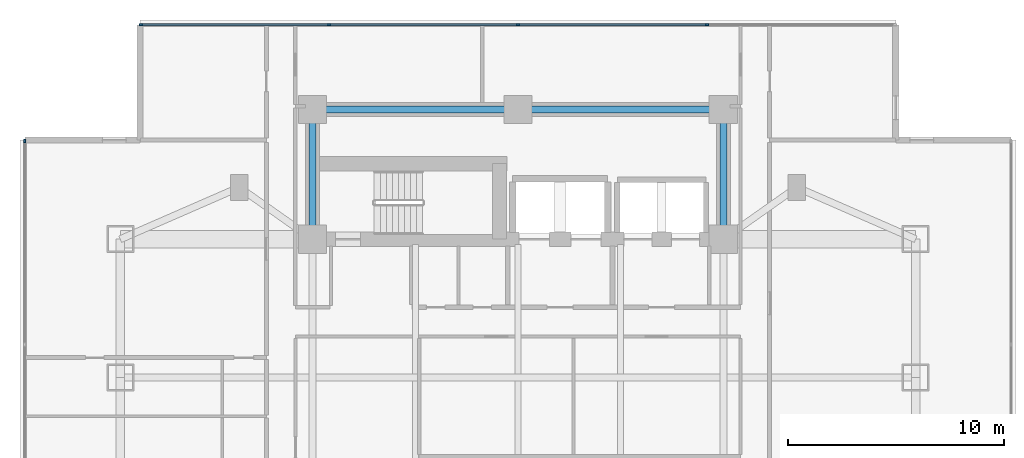
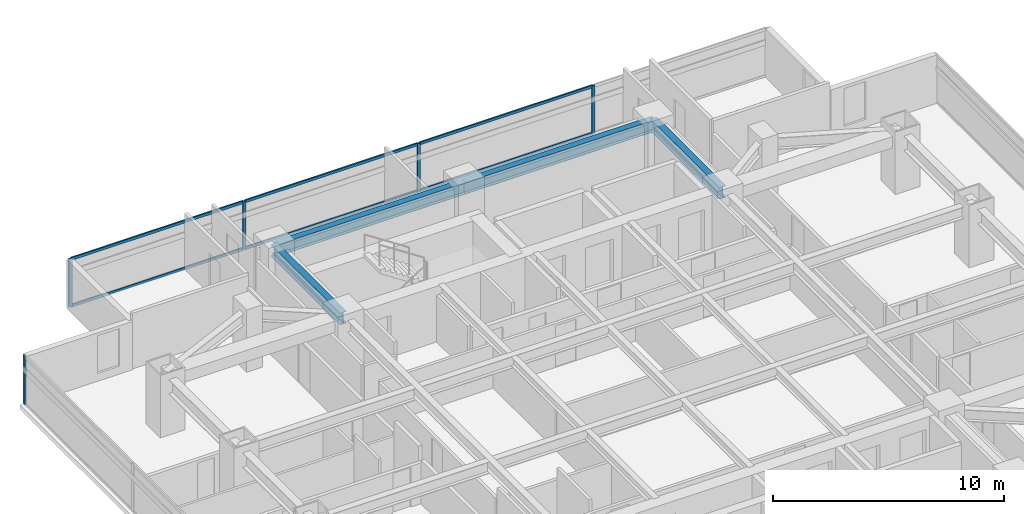
# One storey, part 7 of 26: 11 members, 4 beams, 2 elements without a shape of their own.
"""IFC4 building model written with IfcOpenShell, lengths in metres."""

from ifc_helpers import new_model, si_unit, direction, frame, origin, origin_2d, place, context, subcontext, project, spatial, rectangle, i_section, extrude, material, material_profile, profile_set, type_object, element, aggregate, save


model = new_model("IFC4")

# Units and contexts
model_context = context("Model", 3, precision=1e-05, world=origin(), true_north=direction((0.0, 1.0)))
body_context = subcontext(model_context, "Body", "Model", "MODEL_VIEW")
ifc_project = project(units=[si_unit("LENGTHUNIT", "METRE"), si_unit("AREAUNIT", "SQUARE_METRE"), si_unit("VOLUMEUNIT", "CUBIC_METRE"), si_unit("PLANEANGLEUNIT", "RADIAN"), si_unit("MASSUNIT", "GRAM", prefix="KILO")], contexts=[model_context])

# Site, building, storey
site_placement = place(None, origin())
site = spatial("IfcSite", under=ifc_project, at=site_placement, CompositionType="ELEMENT")
building_placement = place(site_placement, origin())
building = spatial("IfcBuilding", under=site, at=building_placement, Name="Mirazonda Arch Towers", CompositionType="ELEMENT")
storey_placement = place(building_placement, frame((0.0, 0.0, 78.5)))
storey = spatial("IfcBuildingStorey", under=building, at=storey_placement, Name="L22", CompositionType="ELEMENT", Elevation=78.5)

# Beams
ifc_material_1 = material(Name="Steel ASTM A992 Grade 50", Category="steel")
ifc_material_profile_1 = material_profile(ifc_material_1, i_section(OverallWidth=0.324951171875, OverallDepth=0.615966796875, WebThickness=0.013916015625, FlangeThickness=0.021484375, at=origin_2d()), Name="W24X117")
ifc_profile_set_1 = profile_set([ifc_material_profile_1], Name="Steel ASTM A992 Grade 50")
beam_type = type_object("IfcBeamType", Name="BM-INT-W24X117", PredefinedType="BEAM", material=ifc_profile_set_1)
for number, where, z_axis, x_axis, name in (
    (1, (11.0, 43.60009765625, 2.632080078125), (1.0, 0.0, 0.0), (0.0, 1.0, 0.0), "L22 Floor Beam BMT-T1-L22-CN1"),
    (2, (20.5, 43.60009765625, 2.632080078125), (1.0, 0.0, 0.0), (0.0, 1.0, 0.0), "L22 Floor Beam BMT-T1-L22-CN2"),
):
    element("IfcBeam", number, at=place(storey_placement, frame(where, z_axis=z_axis, x_axis=x_axis)), inside=storey, type_object=beam_type, Name=name, PredefinedType="BEAM", context=body_context, shape_type="SweptSolid", body=[
        extrude(i_section(OverallWidth=0.324951171875, OverallDepth=0.615966796875, WebThickness=0.013916015625, FlangeThickness=0.021484375, at=origin_2d()), origin(), (0.0, 0.0, 1.0), 9.5),
    ])
for number, where, z_axis, x_axis, name in (
    (3, (11.0, 37.60009765625, 2.632080078125), (0.0, 1.0, 0.0), (-1.0, 0.0, 0.0), "L22 Floor Beam BMT-T1-L22-CNW"),
    (4, (30.0, 37.60009765625, 2.632080078125), (0.0, 1.0, 0.0), (-1.0, 0.0, 0.0), "L22 Floor Beam BMT-T1-L22-CNE"),
):
    element("IfcBeam", number, at=place(storey_placement, frame(where, z_axis=z_axis, x_axis=x_axis)), inside=storey, type_object=beam_type, Name=name, PredefinedType="BEAM", context=body_context, shape_type="SweptSolid", body=[
        extrude(i_section(OverallWidth=0.324951171875, OverallDepth=0.615966796875, WebThickness=0.013916015625, FlangeThickness=0.021484375, at=origin_2d()), origin(), (0.0, 0.0, 1.0), 6.0),
    ])

# Curtain wall, members
ifc_material_2 = material(Name="Anodised Aluminium and Low-E Glass", Category="aluminium")
curtain_wall_type = type_object("IfcCurtainWallType", Name="CW-HTL-UNIT", PredefinedType="NOTDEFINED", material=ifc_material_2)
curtain_wall_1_placement = place(storey_placement, origin())
curtain_wall_1 = element("IfcCurtainWall", 5, at=curtain_wall_1_placement, inside=storey, type_object=curtain_wall_type, Name="L22 T1 N Facade CW-L22-T1-N", PredefinedType="NOTDEFINED")
ifc_material_3 = material(Name="Anodised Aluminium Alloy", Category="aluminium")
ifc_material_profile_2 = material_profile(ifc_material_3, rectangle(XDim=0.074951171875, YDim=0.1650390625, at=origin_2d()), Name="ALU-MULL-75x165")
ifc_profile_set_2 = profile_set([ifc_material_profile_2], Name="Anodised Aluminium Alloy")
member_type_1 = type_object("IfcMemberType", Name="MULL-CW-HTL-UNIT", PredefinedType="MULLION", material=ifc_profile_set_2)
member_1_placement = place(storey_placement, frame((3.0576171875, 47.52392578125, 0.0), z_axis=(0.0, 0.0, 1.0), x_axis=(0.0, 1.0, 0.0)))
member_1 = element("IfcMember", 6, at=member_1_placement, type_object=member_type_1, Name="CW-112 mullion 1", PredefinedType="MULLION", context=body_context, shape_type="SweptSolid", body=[
    extrude(rectangle(XDim=0.074951171875, YDim=0.1650390625, at=origin_2d()), origin(), (0.0, 0.0, 1.0), 2.56005859375),
])
member_2_placement = place(storey_placement, frame((11.760009765625, 47.52392578125, 0.0), z_axis=(0.0, 0.0, 1.0), x_axis=(0.0, 1.0, 0.0)))
member_2 = element("IfcMember", 7, at=member_2_placement, type_object=member_type_1, Name="CW-112 mullion 2", PredefinedType="MULLION", context=body_context, shape_type="SweptSolid", body=[
    extrude(rectangle(XDim=0.074951171875, YDim=0.1650390625, at=origin_2d()), origin(), (0.0, 0.0, 1.0), 2.56005859375),
])
member_3_placement = place(storey_placement, frame((20.5, 47.52392578125, 0.0), z_axis=(0.0, 0.0, 1.0), x_axis=(0.0, 1.0, 0.0)))
member_3 = element("IfcMember", 8, at=member_3_placement, type_object=member_type_1, Name="CW-112 mullion 3", PredefinedType="MULLION", context=body_context, shape_type="SweptSolid", body=[
    extrude(rectangle(XDim=0.074951171875, YDim=0.1650390625, at=origin_2d()), origin(), (0.0, 0.0, 1.0), 2.56005859375),
])
member_4_placement = place(storey_placement, frame((29.239990234375, 47.52392578125, 0.0), z_axis=(0.0, 0.0, 1.0), x_axis=(0.0, 1.0, 0.0)))
member_4 = element("IfcMember", 9, at=member_4_placement, type_object=member_type_1, Name="CW-112 mullion 4", PredefinedType="MULLION", context=body_context, shape_type="SweptSolid", body=[
    extrude(rectangle(XDim=0.074951171875, YDim=0.1650390625, at=origin_2d()), origin(), (0.0, 0.0, 1.0), 2.56005859375),
])

# Curtain wall, member
curtain_wall_2_placement = place(storey_placement, origin())
curtain_wall_2 = element("IfcCurtainWall", 10, at=curtain_wall_2_placement, inside=storey, type_object=curtain_wall_type, Name="L22 T1 W Facade CW-L22-T1-W", PredefinedType="NOTDEFINED")
member_5_placement = place(storey_placement, frame((-2.320068359375, 42.146484375, 0.0), z_axis=(0.0, 0.0, 1.0), x_axis=(1.0, 0.0, 0.0)))
member_5 = element("IfcMember", 11, at=member_5_placement, type_object=member_type_1, Name="CW-112 mullion 1", PredefinedType="MULLION", context=body_context, shape_type="SweptSolid", body=[
    extrude(rectangle(XDim=0.074951171875, YDim=0.1650390625, at=origin_2d()), origin(), (0.0, 0.0, 1.0), 2.56005859375),
])
aggregate(curtain_wall_2, [member_5])

# Member
ifc_material_profile_3 = material_profile(ifc_material_3, rectangle(XDim=0.074951171875, YDim=0.14501953125, at=origin_2d()), Name="ALU-TRAN-75x145")
ifc_profile_set_3 = profile_set([ifc_material_profile_3], Name="Anodised Aluminium Alloy")
member_type_2 = type_object("IfcMemberType", Name="TRAN-CW-HTL-UNIT", PredefinedType="USERDEFINED", material=ifc_profile_set_3)
member_6_placement = place(storey_placement, frame((3.094970703125, 47.52392578125, 0.03759765625), z_axis=(1.0, 0.0, 0.0), x_axis=(0.0, 1.0, 0.0)))
member_6 = element("IfcMember", 12, at=member_6_placement, type_object=member_type_2, Name="CW-112 transom 1.1", ObjectType="TRANSOM", PredefinedType="USERDEFINED", context=body_context, shape_type="SweptSolid", body=[
    extrude(rectangle(XDim=0.074951171875, YDim=0.14501953125, at=origin_2d()), origin(), (0.0, 0.0, 1.0), 8.62744140625),
])

member_7_placement = place(storey_placement, frame((3.094970703125, 47.52392578125, 2.5224609375), z_axis=(1.0, 0.0, 0.0), x_axis=(0.0, 1.0, 0.0)))
member_7 = element("IfcMember", 13, at=member_7_placement, type_object=member_type_2, Name="CW-112 transom 1.2", ObjectType="TRANSOM", PredefinedType="USERDEFINED", context=body_context, shape_type="SweptSolid", body=[
    extrude(rectangle(XDim=0.074951171875, YDim=0.14501953125, at=origin_2d()), origin(), (0.0, 0.0, 1.0), 8.62744140625),
])

member_8_placement = place(storey_placement, frame((11.797607421875, 47.52392578125, 0.03759765625), z_axis=(1.0, 0.0, 0.0), x_axis=(0.0, 1.0, 0.0)))
member_8 = element("IfcMember", 14, at=member_8_placement, type_object=member_type_2, Name="CW-112 transom 2.1", ObjectType="TRANSOM", PredefinedType="USERDEFINED", context=body_context, shape_type="SweptSolid", body=[
    extrude(rectangle(XDim=0.074951171875, YDim=0.14501953125, at=origin_2d()), origin(), (0.0, 0.0, 1.0), 8.664794921875),
])

member_9_placement = place(storey_placement, frame((11.797607421875, 47.52392578125, 2.5224609375), z_axis=(1.0, 0.0, 0.0), x_axis=(0.0, 1.0, 0.0)))
member_9 = element("IfcMember", 15, at=member_9_placement, type_object=member_type_2, Name="CW-112 transom 2.2", ObjectType="TRANSOM", PredefinedType="USERDEFINED", context=body_context, shape_type="SweptSolid", body=[
    extrude(rectangle(XDim=0.074951171875, YDim=0.14501953125, at=origin_2d()), origin(), (0.0, 0.0, 1.0), 8.664794921875),
])

member_10_placement = place(storey_placement, frame((20.53759765625, 47.52392578125, 0.03759765625), z_axis=(1.0, 0.0, 0.0), x_axis=(0.0, 1.0, 0.0)))
member_10 = element("IfcMember", 16, at=member_10_placement, type_object=member_type_2, Name="CW-112 transom 3.1", ObjectType="TRANSOM", PredefinedType="USERDEFINED", context=body_context, shape_type="SweptSolid", body=[
    extrude(rectangle(XDim=0.074951171875, YDim=0.14501953125, at=origin_2d()), origin(), (0.0, 0.0, 1.0), 8.664794921875),
])

member_11_placement = place(storey_placement, frame((20.53759765625, 47.52392578125, 2.5224609375), z_axis=(1.0, 0.0, 0.0), x_axis=(0.0, 1.0, 0.0)))
member_11 = element("IfcMember", 17, at=member_11_placement, type_object=member_type_2, Name="CW-112 transom 3.2", ObjectType="TRANSOM", PredefinedType="USERDEFINED", context=body_context, shape_type="SweptSolid", body=[
    extrude(rectangle(XDim=0.074951171875, YDim=0.14501953125, at=origin_2d()), origin(), (0.0, 0.0, 1.0), 8.664794921875),
])

aggregate(curtain_wall_1, [member_1, member_2, member_3, member_4, member_6, member_7, member_8, member_9, member_10, member_11])

save(model, "model.ifc")
